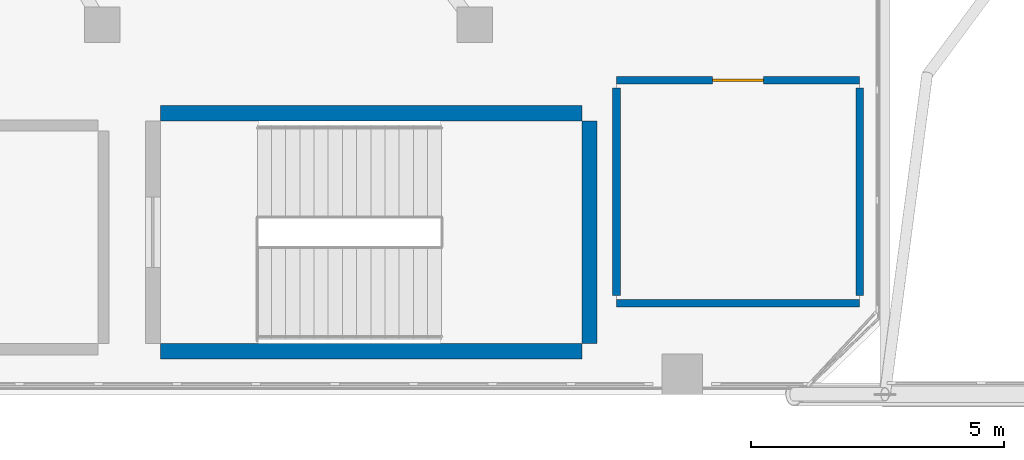
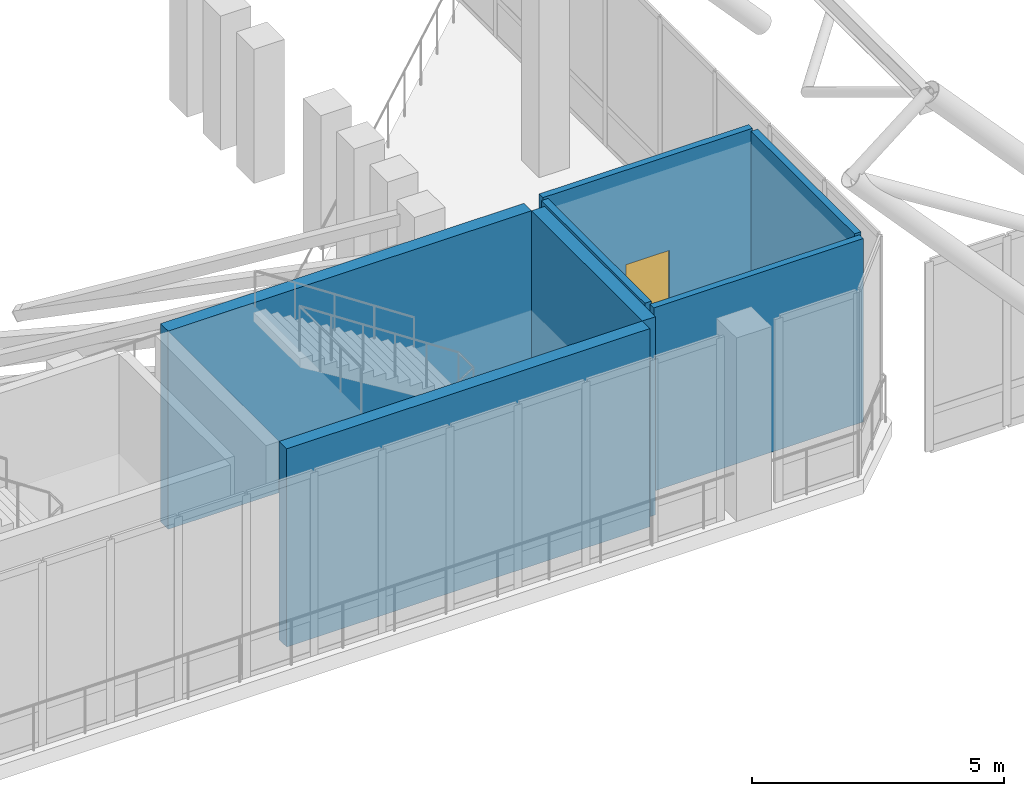
# One storey, part 58 of 79: 7 walls, 1 door, 1 opening.
"""IFC4 building model written with IfcOpenShell, lengths in metres."""

import ifcopenshell
import ifcopenshell.guid

model = None  # the IFC model being written
_history = None  # IfcOwnerHistory: only IFC2X3 demands one
_inside = {}  # id of a spatial element -> (the spatial element, [elements in it])
_under = {}  # id of a project, library or spatial element -> (it, [spatial elements below it])
_declared = {}  # id of a project -> (the project, [libraries it declares])
_typed = {}  # id of a type object -> (the type object, [elements of that type])
_made_of = {}  # id of a material, layer set ... -> (it, [elements and type objects made of it])


def new_model(schema):
    """Start an empty IFC model of exactly this schema.

    Asked for "IFC4X3", IfcOpenShell would pick the latest addendum, in which some entities
    have other attributes; the version numbers below select the first issue.
    IFC2X3 requires an IfcOwnerHistory on every rooted entity: one is made here for all.
    """
    global model, _history
    if schema == "IFC4X3":
        model = ifcopenshell.file(schema_version=(4, 3, 0, 0))
    else:
        model = ifcopenshell.file(schema=schema)
    _inside.clear()
    _under.clear()
    _declared.clear()
    _typed.clear()
    _made_of.clear()
    _history = None
    if model.schema == "IFC2X3":
        org = make("IfcOrganization", Name="unknown")
        user = make(
            "IfcPersonAndOrganization",
            ThePerson=make("IfcPerson", FamilyName="unknown"),
            TheOrganization=org,
        )
        app = make(
            "IfcApplication",
            ApplicationDeveloper=org,
            Version="unknown",
            ApplicationFullName="unknown",
            ApplicationIdentifier="unknown",
        )
        _history = make(
            "IfcOwnerHistory",
            OwningUser=user,
            OwningApplication=app,
            ChangeAction="ADDED",
            CreationDate=0,
        )
    return model


def make(cls, **values):
    """One entity of the class cls with the attributes given. An attribute that is None is left unset."""
    return model.create_entity(
        cls, **{name: value for name, value in values.items() if value is not None}
    )


def rooted(cls, **values):
    """An entity with a GlobalId (a new one), such as an element, a storey or a relation."""
    return make(cls, GlobalId=ifcopenshell.guid.new(), OwnerHistory=_history, **values)


def si_unit(unit_type, name, prefix=None):
    """IfcSIUnit, for example si_unit("LENGTHUNIT", "METRE", prefix="MILLI")."""
    return make("IfcSIUnit", UnitType=unit_type, Prefix=prefix, Name=name)


def derived_unit(unit_type, elements):
    """IfcDerivedUnit: a product of units, each with its exponent."""
    return make(
        "IfcDerivedUnit",
        Elements=[
            make("IfcDerivedUnitElement", Unit=unit, Exponent=power)
            for unit, power in elements
        ],
        UnitType=unit_type,
    )


def assignment(units):
    """IfcUnitAssignment: the units of a project."""
    return None if units is None else make("IfcUnitAssignment", Units=units)


def point(xyz):
    """IfcCartesianPoint."""
    return None if xyz is None else make("IfcCartesianPoint", Coordinates=xyz)


def direction(xyz):
    """IfcDirection."""
    return None if xyz is None else make("IfcDirection", DirectionRatios=xyz)


def frame(location, z_axis=None, x_axis=None):
    """IfcAxis2Placement3D, a coordinate frame: its origin and axes. An axis left out is left unset."""
    return make(
        "IfcAxis2Placement3D",
        Location=point(location),
        Axis=direction(z_axis),
        RefDirection=direction(x_axis),
    )


def frame_2d(location, x_axis=None):
    """IfcAxis2Placement2D, a coordinate frame in the plane: its origin and x axis."""
    return make(
        "IfcAxis2Placement2D", Location=point(location), RefDirection=direction(x_axis)
    )


def origin():
    """The frame at (0, 0, 0) with its axes left unset."""
    return frame((0.0, 0.0, 0.0))


def place(relative_to, where):
    """IfcLocalPlacement: puts the frame where relative to a parent placement (None: the world)."""
    return make(
        "IfcLocalPlacement", PlacementRelTo=relative_to, RelativePlacement=where
    )


def context(
    kind, dimensions, precision=None, world=None, true_north=None, identifier=None
):
    """IfcGeometricRepresentationContext, for example the 3D "Model" context."""
    return make(
        "IfcGeometricRepresentationContext",
        ContextIdentifier=identifier,
        ContextType=kind,
        CoordinateSpaceDimension=dimensions,
        Precision=precision,
        WorldCoordinateSystem=world,
        TrueNorth=true_north,
    )


def subcontext(parent, identifier, kind, view, scale=None):
    """IfcGeometricRepresentationSubContext, for example "Body" below "Model"."""
    return make(
        "IfcGeometricRepresentationSubContext",
        ContextIdentifier=identifier,
        ContextType=kind,
        ParentContext=parent,
        TargetScale=scale,
        TargetView=view,
    )


def project(units=None, contexts=None):
    """IfcProject with its units and contexts."""
    return rooted(
        "IfcProject",
        Name="project",
        RepresentationContexts=contexts,
        UnitsInContext=assignment(units),
    )


def spatial(cls, under=None, at=None, **own):
    """A site, building, storey or space (cls), placed at a placement, below another one or the project."""
    s = rooted(cls, ObjectPlacement=at, **own)
    if under is not None:
        _under.setdefault(under.id(), (under, []))[1].append(s)
    return s


def profile(cls, at=None, kind="AREA", **sizes):
    """A parametric profile (cls). Its sizes go by their IFC names, for example OverallWidth=200.0."""
    return make(cls, ProfileType=kind, Position=at, **sizes)


def rectangle(**sizes):
    """IfcRectangleProfileDef."""
    return profile("IfcRectangleProfileDef", **sizes)


def extrude(swept, where, along, depth):
    """IfcExtrudedAreaSolid: the profile swept, set in the frame where, extruded along a direction by depth."""
    return make(
        "IfcExtrudedAreaSolid",
        SweptArea=swept,
        Position=where,
        ExtrudedDirection=direction(along),
        Depth=depth,
    )


def shape(context_of_items, identifier, shape_type, items):
    """IfcShapeRepresentation: the items that make up one representation, for example the "Body"."""
    return make(
        "IfcShapeRepresentation",
        ContextOfItems=context_of_items,
        RepresentationIdentifier=identifier,
        RepresentationType=shape_type,
        Items=items,
    )


def material(Name=None, Category=None):
    """IfcMaterial."""
    return make("IfcMaterial", Name=Name, Category=Category)


def layer(
    of_material, thickness, ventilated=None, Name=None, Category=None, Priority=None
):
    """IfcMaterialLayer: one layer of a wall or slab, of a material (None: an air gap)."""
    return make(
        "IfcMaterialLayer",
        Material=of_material,
        LayerThickness=thickness,
        IsVentilated=ventilated,
        Name=Name,
        Category=Category,
        Priority=Priority,
    )


def layer_set(layers, Name=None):
    """IfcMaterialLayerSet."""
    return make("IfcMaterialLayerSet", MaterialLayers=layers, LayerSetName=Name)


def made_of(thing, what):
    """Note that an element or type object is made of a material, layer set ...; save() writes the relation."""
    if what is not None:
        _made_of.setdefault(what.id(), (what, []))[1].append(thing)
    return thing


def type_object(cls, material=None, **own):
    """A type object (cls), such as IfcWallType, which elements share."""
    return made_of(rooted(cls, **own), material)


def element(
    cls,
    number,
    at=None,
    inside=None,
    cuts=None,
    type_object=None,
    material=None,
    context=None,
    identifier="Body",
    shape_type=None,
    held_by="IfcProductDefinitionShape",
    body=None,
    shapes=None,
    **own,
):
    """One element of the class cls, such as IfcWall. Its Tag is "e" and its number.

    at: its placement. inside: the storey or other place that contains it. cuts: it is an
    opening in that element (IfcRelVoidsElement). A single representation is given by context,
    identifier, shape_type and body (its items); several are given by shapes. held_by: the class
    of the entity that holds the representations. save() writes the other relations.
    """
    e = rooted(cls, Tag="e%d" % number, ObjectPlacement=at, **own)
    if body is not None:
        shapes = [shape(context, identifier, shape_type, body)]
    if shapes is not None:
        e.Representation = make(held_by, Representations=shapes)
    if inside is not None:
        _inside.setdefault(inside.id(), (inside, []))[1].append(e)
    if cuts is not None:
        rooted(
            "IfcRelVoidsElement", RelatingBuildingElement=cuts, RelatedOpeningElement=e
        )
    if type_object is not None:
        _typed.setdefault(type_object.id(), (type_object, []))[1].append(e)
    return made_of(e, material)


def fill(opening, filler):
    """IfcRelFillsElement: the door or window that sits in an opening."""
    return rooted(
        "IfcRelFillsElement",
        RelatingOpeningElement=opening,
        RelatedBuildingElement=filler,
    )


def aggregate(whole, parts):
    """IfcRelAggregates: a whole, such as a stair, and the parts it consists of."""
    return rooted("IfcRelAggregates", RelatingObject=whole, RelatedObjects=parts)


def save(model, path):
    """Write the relations noted so far, then the file.

    IfcRelAggregates (storeys below a building ...), IfcRelContainedInSpatialStructure (elements
    in a storey), IfcRelDefinesByType, IfcRelAssociatesMaterial and IfcRelDeclares: one each for
    every whole, place, type object, material and project.
    """
    for whole, parts in _under.values():
        aggregate(whole, parts)
    for where, things in _inside.values():
        rooted(
            "IfcRelContainedInSpatialStructure",
            RelatedElements=things,
            RelatingStructure=where,
        )
    for kind, things in _typed.values():
        rooted("IfcRelDefinesByType", RelatedObjects=things, RelatingType=kind)
    for what, things in _made_of.values():
        rooted("IfcRelAssociatesMaterial", RelatedObjects=things, RelatingMaterial=what)
    for by, libraries in _declared.values():
        rooted("IfcRelDeclares", RelatingContext=by, RelatedDefinitions=libraries)
    model.write(path)


model = new_model("IFC4")

# Units and contexts
model_context = context("Model", 3, precision=1e-05, world=origin(), true_north=direction((0.0, 1.0)))
body_context = subcontext(model_context, "Body", "Model", "MODEL_VIEW")
ifc_project = project(units=[si_unit("LENGTHUNIT", "METRE"), si_unit("AREAUNIT", "SQUARE_METRE"), si_unit("VOLUMEUNIT", "CUBIC_METRE"), si_unit("PLANEANGLEUNIT", "RADIAN"), si_unit("MASSUNIT", "GRAM", prefix="KILO"), derived_unit("THERMALTRANSMITTANCEUNIT", [(si_unit("MASSUNIT", "GRAM", prefix="KILO"), 1), (si_unit("TIMEUNIT", "SECOND"), -3), (si_unit("THERMODYNAMICTEMPERATUREUNIT", "KELVIN"), -1)])], contexts=[model_context])

# Site, building, storey
site_placement = place(None, origin())
site = spatial("IfcSite", under=ifc_project, at=site_placement, CompositionType="ELEMENT")
building_placement = place(site_placement, origin())
building = spatial("IfcBuilding", under=site, at=building_placement, Name="Valcora Ridge Arena", CompositionType="ELEMENT")
storey_placement = place(building_placement, frame((0.0, 0.0, 16.199951171875)))
storey = spatial("IfcBuildingStorey", under=building, at=storey_placement, Name="L03", CompositionType="ELEMENT", Elevation=16.199951171875)

# Wall
ifc_material_1 = material(Name="Fire-rated masonry-core compartment wall C35/45 150 mm", Category="masonry")
ifc_layer_1 = layer(ifc_material_1, 0.14990234375, Name="Fire-rated masonry-core compartment wall C35/45 150 mm")
ifc_layer_set_1 = layer_set([ifc_layer_1], Name="Fire-rated masonry-core compartment wall C35/45 150 mm")
wall_type_1 = type_object("IfcWallType", Name="TY-WALL-IW-COMP-150", PredefinedType="STANDARD", material=ifc_layer_set_1)
wall_1_placement = place(storey_placement, frame((90.199951171875, 21.800048828125, 0.0), z_axis=(0.0, 0.0, 1.0), x_axis=(1.0, 0.0, 0.0)))
element("IfcWall", 1, at=wall_1_placement, inside=storey, type_object=wall_type_1, Name="IW-COMP-150 WAL-IN-0411", PredefinedType="STANDARD", context=body_context, shape_type="SweptSolid", body=[
    extrude(rectangle(XDim=4.800048828125, YDim=0.14990234375, at=frame_2d((2.39990234375, 0.0))), origin(), (0.0, 0.0, 1.0), 4.43994140625),
])

# Wall, opening, door
wall_2_placement = place(storey_placement, frame((90.199951171875, 26.199951171875, 0.0), z_axis=(0.0, 0.0, 1.0), x_axis=(1.0, 0.0, 0.0)))
wall_2 = element("IfcWall", 2, at=wall_2_placement, inside=storey, type_object=wall_type_1, Name="IW-COMP-150 WAL-IN-0412", PredefinedType="STANDARD", context=body_context, shape_type="SweptSolid", body=[
    extrude(rectangle(XDim=4.800048828125, YDim=0.14990234375, at=frame_2d((2.39990234375, 0.0))), origin(), (0.0, 0.0, 1.0), 4.43994140625),
])
opening_placement = place(wall_2_placement, frame((1.89990234375, 0.0, 0.0)))
opening = element("IfcOpeningElement", 3, at=opening_placement, cuts=wall_2, Name="Opening FD-STE-1000", PredefinedType="OPENING", context=body_context, shape_type="SweptSolid", body=[
    extrude(rectangle(XDim=1.0, YDim=2.14990234375, at=frame_2d((0.5, 1.074951171875))), frame((0.0, 0.0849609375, 0.0), z_axis=(0.0, -1.0, 0.0), x_axis=(1.0, 0.0, 0.0)), (0.0, 0.0, 1.0), 0.169921875),
])
ifc_material_2 = material(Name="Insulated fire-rated steel door leaf", Category="steel")
door_type = type_object("IfcDoorType", Name="TY-DOOR-FD-STE-1000", OperationType="NOTDEFINED", PredefinedType="DOOR", material=ifc_material_2)
door_placement = place(opening_placement, origin())
door = element("IfcDoor", 4, at=door_placement, inside=storey, type_object=door_type, Name="FD-STE-1000 DOR-IN-0108", OperationType="SINGLE_SWING_RIGHT", OverallHeight=2.14990234375, OverallWidth=1.0, PredefinedType="DOOR", context=body_context, shape_type="SweptSolid", body=[
    extrude(rectangle(XDim=1.0, YDim=2.14990234375, at=frame_2d((0.5, 1.074951171875))), frame((0.0, 0.02490234375, 0.0), z_axis=(0.0, -1.0, 0.0), x_axis=(1.0, 0.0, 0.0)), (0.0, 0.0, 1.0), 0.050048828125),
])
fill(opening, door)

# Walls
for number, where, z_axis, x_axis, name in (
    (5, (90.199951171875, 21.949951171875, 0.0), (0.0, 0.0, 1.0), (0.0, 1.0, 0.0), "IW-COMP-150 WAL-IN-0413"),
    (6, (95.0, 21.949951171875, 0.0), (0.0, 0.0, 1.0), (0.0, 1.0, 0.0), "IW-COMP-150 WAL-IN-0414"),
):
    element("IfcWall", number, at=place(storey_placement, frame(where, z_axis=z_axis, x_axis=x_axis)), inside=storey, type_object=wall_type_1, Name=name, PredefinedType="STANDARD", context=body_context, shape_type="SweptSolid", body=[
        extrude(rectangle(XDim=4.10009765625, YDim=0.14990234375, at=frame_2d((2.050048828125, 0.0))), origin(), (0.0, 0.0, 1.0), 4.43994140625),
    ])
ifc_material_3 = material(Name="Concrete C45/55", Category="concrete")
ifc_layer_2 = layer(ifc_material_3, 0.300048828125, Name="Concrete C45/55")
ifc_layer_set_2 = layer_set([ifc_layer_2], Name="Concrete C45/55")
wall_type_2 = type_object("IfcWallType", Name="TY-WALL-SW-C300-L", PredefinedType="SHEAR", material=ifc_layer_set_2)
for number, where, z_axis, x_axis, name in (
    (7, (81.199951171875, 20.85009765625, 0.0), (0.0, 0.0, 1.0), (1.0, 0.0, 0.0), "SW-C300-L WAL-CR-0045"),
    (8, (81.199951171875, 25.550048828125, 0.0), (0.0, 0.0, 1.0), (1.0, 0.0, 0.0), "SW-C300-L WAL-CR-0046"),
):
    element("IfcWall", number, at=place(storey_placement, frame(where, z_axis=z_axis, x_axis=x_axis)), inside=storey, type_object=wall_type_2, Name=name, PredefinedType="SHEAR", context=body_context, shape_type="SweptSolid", body=[
        extrude(rectangle(XDim=8.320068359375, YDim=0.300048828125, at=frame_2d((4.16015625, 0.0))), origin(), (0.0, 0.0, 1.0), 4.800048828125),
    ])
ifc_layer_3 = layer(ifc_material_3, 0.300048828125, Name="Concrete C45/55")
ifc_layer_set_3 = layer_set([ifc_layer_3], Name="Concrete C45/55")
wall_type_3 = type_object("IfcWallType", Name="TY-WALL-SW-C300-S", PredefinedType="SHEAR", material=ifc_layer_set_3)
wall_3_placement = place(storey_placement, frame((89.669921875, 21.0, 0.0), z_axis=(0.0, 0.0, 1.0), x_axis=(0.0, 1.0, 0.0)))
element("IfcWall", 9, at=wall_3_placement, inside=storey, type_object=wall_type_3, Name="SW-C300-S WAL-CR-0048", PredefinedType="SHEAR", context=body_context, shape_type="SweptSolid", body=[
    extrude(rectangle(XDim=4.39990234375, YDim=0.300048828125, at=frame_2d((2.199951171875, 0.0))), origin(), (0.0, 0.0, 1.0), 4.800048828125),
])

save(model, "model.ifc")
